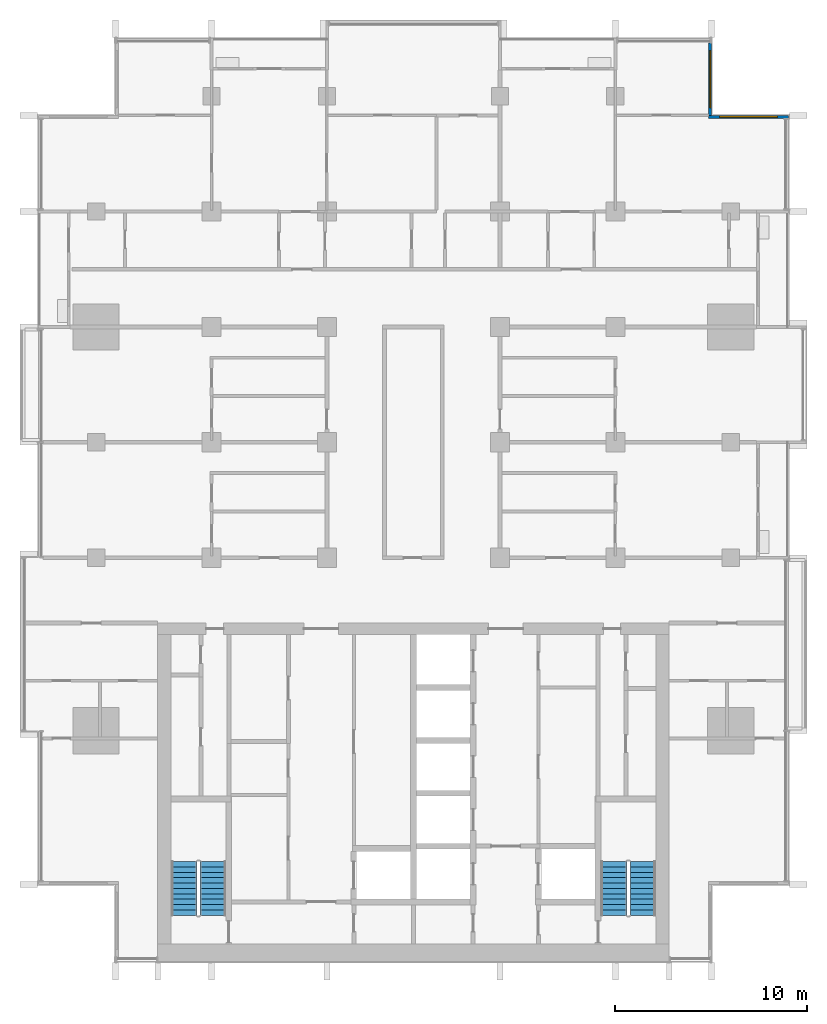
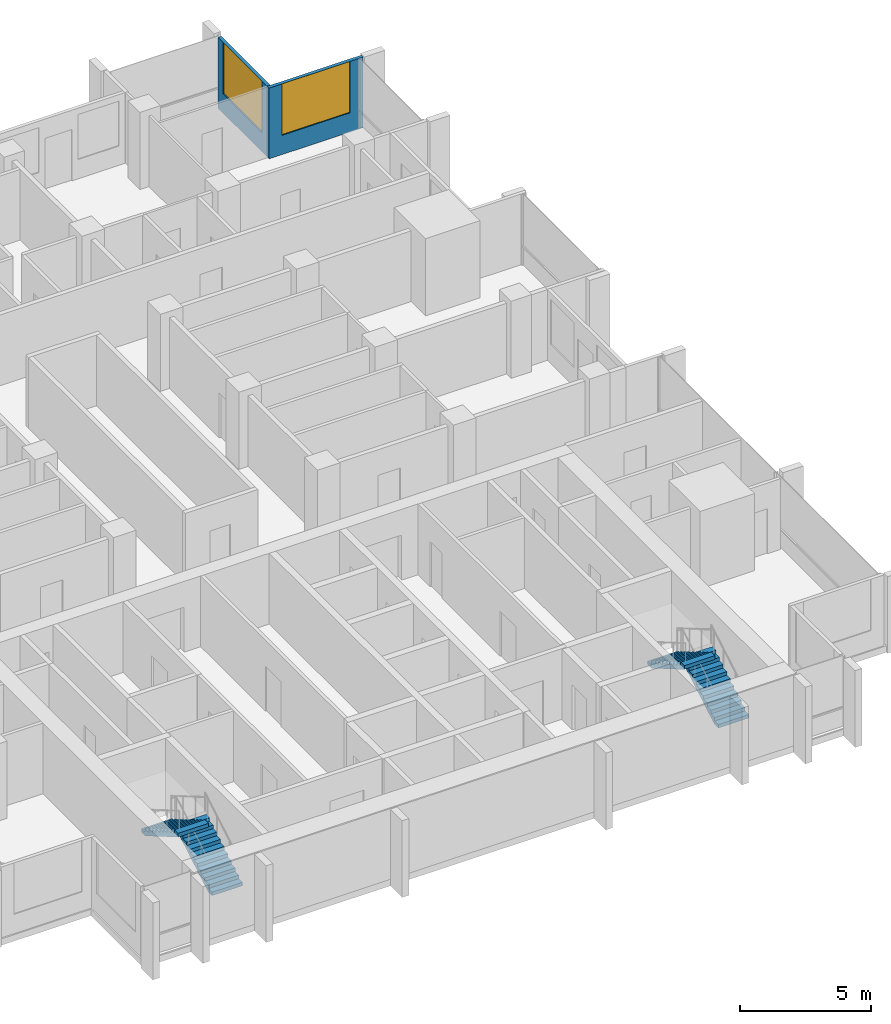
# One storey, part 12 of 17: 4 stair flights, 2 walls, 2 windows, 2 openings, 2 elements without a shape of their own.
"""IFC4 building model written with IfcOpenShell, lengths in metres."""

from ifc_helpers import new_model, si_unit, direction, frame, frame_2d, origin, place, context, subcontext, project, spatial, polyline, rectangle, outline, extrude, material, layer, layer_set, type_object, element, fill, aggregate, save


model = new_model("IFC4")

# Units and contexts
model_context = context("Model", 3, precision=1e-05, world=origin(), true_north=direction((0.0, 1.0)))
body_context = subcontext(model_context, "Body", "Model", "MODEL_VIEW")
ifc_project = project(units=[si_unit("LENGTHUNIT", "METRE"), si_unit("AREAUNIT", "SQUARE_METRE"), si_unit("VOLUMEUNIT", "CUBIC_METRE"), si_unit("PLANEANGLEUNIT", "RADIAN"), si_unit("MASSUNIT", "GRAM", prefix="KILO")], contexts=[model_context])

# Site, building, storey
site_placement = place(None, origin())
site = spatial("IfcSite", under=ifc_project, at=site_placement, CompositionType="ELEMENT")
building_placement = place(site_placement, origin())
building = spatial("IfcBuilding", under=site, at=building_placement, Name="Finial Court Residences", CompositionType="ELEMENT")
storey_placement = place(building_placement, frame((0.0, 0.0, 181.699951171875)))
storey = spatial("IfcBuildingStorey", under=building, at=storey_placement, Name="L45", CompositionType="ELEMENT", Elevation=181.699951171875)

# Wall, opening, window
ifc_material_1 = material(Name="Natural limestone", Category="masonry")
ifc_layer = layer(ifc_material_1, 0.14990234375)
ifc_layer_set = layer_set([ifc_layer], Name="Limestone clad wall 150")
wall_type = type_object("IfcWallType", Name="Limestone clad wall 150", PredefinedType="SOLIDWALL", material=ifc_layer_set)
wall_1_placement = place(storey_placement, frame((15.425048828125, 22.262451171875, 0.0), z_axis=(0.0, 0.0, 1.0), x_axis=(0.0, -1.0, 0.0)))
wall_1 = element("IfcWall", 1, at=wall_1_placement, inside=storey, type_object=wall_type, Name="E-L45-NWE19", PredefinedType="SOLIDWALL", context=body_context, shape_type="SweptSolid", body=[
    extrude(rectangle(XDim=3.762451171875, YDim=0.14990234375, at=frame_2d((1.88134765625, 0.0))), origin(), (0.0, 0.0, 1.0), 3.300048828125),
])
opening_1_placement = place(wall_1_placement, frame((0.401123046875, 0.0, 0.89990234375)))
opening_1 = element("IfcOpeningElement", 2, at=opening_1_placement, cuts=wall_1, Name="Opening WE45-07", PredefinedType="OPENING", context=body_context, shape_type="SweptSolid", body=[
    extrude(rectangle(XDim=2.9599609375, YDim=2.39990234375, at=frame_2d((1.47998046875, 1.199951171875))), frame((0.0, 0.0849609375, 0.0), z_axis=(0.0, -1.0, 0.0), x_axis=(1.0, 0.0, 0.0)), (0.0, 0.0, 1.0), 0.169921875),
])
ifc_material_2 = material(Name="Clear low-e glass", Category="glass")
window_type_1 = type_object("IfcWindowType", Name="Corner window 2960 x 2400", PartitioningType="SINGLE_PANEL", PredefinedType="WINDOW", material=ifc_material_2)
window_1_placement = place(opening_1_placement, origin())
window_1 = element("IfcWindow", 3, at=window_1_placement, inside=storey, type_object=window_type_1, Name="E-L45-NWE19-W1", OverallHeight=2.39990234375, OverallWidth=2.9599609375, PartitioningType="SINGLE_PANEL", PredefinedType="WINDOW", context=body_context, shape_type="SweptSolid", body=[
    extrude(rectangle(XDim=2.9599609375, YDim=2.39990234375, at=frame_2d((1.47998046875, 1.199951171875))), frame((0.0, 0.030029296875, 0.0), z_axis=(0.0, -1.0, 0.0), x_axis=(1.0, 0.0, 0.0)), (0.0, 0.0, 1.0), 0.06005859375),
])
fill(opening_1, window_1)

wall_2_placement = place(storey_placement, frame((15.35009765625, 18.425048828125, 0.0), z_axis=(0.0, 0.0, 1.0), x_axis=(1.0, 0.0, 0.0)))
wall_2 = element("IfcWall", 4, at=wall_2_placement, inside=storey, type_object=wall_type, Name="E-L45-NWN20", PredefinedType="SOLIDWALL", context=body_context, shape_type="SweptSolid", body=[
    extrude(rectangle(XDim=4.14990234375, YDim=0.14990234375, at=frame_2d((2.074951171875, 0.0))), origin(), (0.0, 0.0, 1.0), 3.300048828125),
])
opening_2_placement = place(wall_2_placement, frame((0.574951171875, 0.0, 0.89990234375)))
opening_2 = element("IfcOpeningElement", 5, at=opening_2_placement, cuts=wall_2, Name="Opening WE45-08", PredefinedType="OPENING", context=body_context, shape_type="SweptSolid", body=[
    extrude(rectangle(XDim=3.0, YDim=2.39990234375, at=frame_2d((1.5, 1.199951171875))), frame((0.0, 0.0849609375, 0.0), z_axis=(0.0, -1.0, 0.0), x_axis=(1.0, 0.0, 0.0)), (0.0, 0.0, 1.0), 0.169921875),
])
window_type_2 = type_object("IfcWindowType", Name="Corner window 3000 x 2400", PartitioningType="SINGLE_PANEL", PredefinedType="WINDOW", material=ifc_material_2)
window_2_placement = place(opening_2_placement, origin())
window_2 = element("IfcWindow", 6, at=window_2_placement, inside=storey, type_object=window_type_2, Name="E-L45-NWN20-W1", OverallHeight=2.39990234375, OverallWidth=3.0, PartitioningType="SINGLE_PANEL", PredefinedType="WINDOW", context=body_context, shape_type="SweptSolid", body=[
    extrude(rectangle(XDim=3.0, YDim=2.39990234375, at=frame_2d((1.5, 1.199951171875))), frame((0.0, 0.030029296875, 0.0), z_axis=(0.0, -1.0, 0.0), x_axis=(1.0, 0.0, 0.0)), (0.0, 0.0, 1.0), 0.06005859375),
])
fill(opening_2, window_2)

# Stair, stair flights
ifc_material_3 = material(Name="Concrete C50/60", Category="concrete")
stair_type = type_object("IfcStairType", Name="Exit stair 22 risers of 163.6 mm", PredefinedType="HALF_TURN_STAIR", material=ifc_material_3)
stair_1_placement = place(storey_placement, origin())
stair_1 = element("IfcStair", 7, at=stair_1_placement, inside=storey, type_object=stair_type, Name="L45 Exit stair ST-1", PredefinedType="HALF_TURN_STAIR")
stair_flight_type = type_object("IfcStairFlightType", Name="Exit stair flight", PredefinedType="STRAIGHT", material=ifc_material_3)
stair_flight_1_placement = place(storey_placement, frame((-10.425048828125, -23.10009765625, 0.0), z_axis=(0.0, 0.0, 1.0), x_axis=(0.0, 1.0, 0.0)))
stair_flight_1 = element("IfcStairFlight", 8, at=stair_flight_1_placement, type_object=stair_flight_type, Name="ST-1 flight 1", NumberOfRisers=11, NumberOfTreads=10, PredefinedType="STRAIGHT", RiserHeight=0.163636364, TreadLength=0.28, context=body_context, shape_type="SweptSolid", body=[
    extrude(outline(polyline([(0.0, 0.0), (0.0, 0.16357421875), (0.280029296875, 0.16357421875), (0.280029296875, 0.327392578125), (0.56005859375, 0.327392578125), (0.56005859375, 0.490966796875), (0.840087890625, 0.490966796875), (0.840087890625, 0.654541015625), (1.1201171875, 0.654541015625), (1.1201171875, 0.818115234375), (1.39990234375, 0.818115234375), (1.39990234375, 0.98193359375), (1.679931640625, 0.98193359375), (1.679931640625, 1.1455078125), (1.9599609375, 1.1455078125), (1.9599609375, 1.30908203125), (2.239990234375, 1.30908203125), (2.239990234375, 1.47265625), (2.52001953125, 1.47265625), (2.52001953125, 1.636474609375), (2.800048828125, 1.636474609375), (2.800048828125, 1.800048828125), (2.800048828125, 1.462646484375), (0.297119140625, 0.0), (0.0, 0.0)])), frame((0.0, 0.675048828125, 0.0), z_axis=(0.0, -1.0, 0.0), x_axis=(1.0, 0.0, 0.0)), (0.0, 0.0, 1.0), 1.35009765625),
])
stair_flight_2_placement = place(storey_placement, frame((-11.925048828125, -20.300048828125, 1.800048828125), z_axis=(0.0, 0.0, 1.0), x_axis=(0.0, -1.0, 0.0)))
stair_flight_2 = element("IfcStairFlight", 9, at=stair_flight_2_placement, type_object=stair_flight_type, Name="ST-1 flight 2", NumberOfRisers=11, NumberOfTreads=10, PredefinedType="STRAIGHT", RiserHeight=0.163636364, TreadLength=0.28, context=body_context, shape_type="SweptSolid", body=[
    extrude(outline(polyline([(0.0, 0.0), (0.0, 0.16357421875), (0.280029296875, 0.16357421875), (0.280029296875, 0.327392578125), (0.56005859375, 0.327392578125), (0.56005859375, 0.490966796875), (0.840087890625, 0.490966796875), (0.840087890625, 0.654541015625), (1.1201171875, 0.654541015625), (1.1201171875, 0.818115234375), (1.39990234375, 0.818115234375), (1.39990234375, 0.98193359375), (1.679931640625, 0.98193359375), (1.679931640625, 1.1455078125), (1.9599609375, 1.1455078125), (1.9599609375, 1.30908203125), (2.239990234375, 1.30908203125), (2.239990234375, 1.47265625), (2.52001953125, 1.47265625), (2.52001953125, 1.636474609375), (2.800048828125, 1.636474609375), (2.800048828125, 1.800048828125), (2.800048828125, 1.462646484375), (0.297119140625, 0.0), (0.0, 0.0)])), frame((0.0, 0.675048828125, 0.0), z_axis=(0.0, -1.0, 0.0), x_axis=(1.0, 0.0, 0.0)), (0.0, 0.0, 1.0), 1.35009765625),
])
aggregate(stair_1, [stair_flight_1, stair_flight_2])

stair_2_placement = place(storey_placement, origin())
stair_2 = element("IfcStair", 10, at=stair_2_placement, inside=storey, type_object=stair_type, Name="L45 Exit stair ST-2", PredefinedType="HALF_TURN_STAIR")
stair_flight_3_placement = place(storey_placement, frame((11.925048828125, -23.10009765625, 0.0), z_axis=(0.0, 0.0, 1.0), x_axis=(0.0, 1.0, 0.0)))
stair_flight_3 = element("IfcStairFlight", 11, at=stair_flight_3_placement, type_object=stair_flight_type, Name="ST-2 flight 1", NumberOfRisers=11, NumberOfTreads=10, PredefinedType="STRAIGHT", RiserHeight=0.163636364, TreadLength=0.28, context=body_context, shape_type="SweptSolid", body=[
    extrude(outline(polyline([(0.0, 0.0), (0.0, 0.16357421875), (0.280029296875, 0.16357421875), (0.280029296875, 0.327392578125), (0.56005859375, 0.327392578125), (0.56005859375, 0.490966796875), (0.840087890625, 0.490966796875), (0.840087890625, 0.654541015625), (1.1201171875, 0.654541015625), (1.1201171875, 0.818115234375), (1.39990234375, 0.818115234375), (1.39990234375, 0.98193359375), (1.679931640625, 0.98193359375), (1.679931640625, 1.1455078125), (1.9599609375, 1.1455078125), (1.9599609375, 1.30908203125), (2.239990234375, 1.30908203125), (2.239990234375, 1.47265625), (2.52001953125, 1.47265625), (2.52001953125, 1.636474609375), (2.800048828125, 1.636474609375), (2.800048828125, 1.800048828125), (2.800048828125, 1.462646484375), (0.297119140625, 0.0), (0.0, 0.0)])), frame((0.0, 0.675048828125, 0.0), z_axis=(0.0, -1.0, 0.0), x_axis=(1.0, 0.0, 0.0)), (0.0, 0.0, 1.0), 1.35009765625),
])
stair_flight_4_placement = place(storey_placement, frame((10.425048828125, -20.300048828125, 1.800048828125), z_axis=(0.0, 0.0, 1.0), x_axis=(0.0, -1.0, 0.0)))
stair_flight_4 = element("IfcStairFlight", 12, at=stair_flight_4_placement, type_object=stair_flight_type, Name="ST-2 flight 2", NumberOfRisers=11, NumberOfTreads=10, PredefinedType="STRAIGHT", RiserHeight=0.163636364, TreadLength=0.28, context=body_context, shape_type="SweptSolid", body=[
    extrude(outline(polyline([(0.0, 0.0), (0.0, 0.16357421875), (0.280029296875, 0.16357421875), (0.280029296875, 0.327392578125), (0.56005859375, 0.327392578125), (0.56005859375, 0.490966796875), (0.840087890625, 0.490966796875), (0.840087890625, 0.654541015625), (1.1201171875, 0.654541015625), (1.1201171875, 0.818115234375), (1.39990234375, 0.818115234375), (1.39990234375, 0.98193359375), (1.679931640625, 0.98193359375), (1.679931640625, 1.1455078125), (1.9599609375, 1.1455078125), (1.9599609375, 1.30908203125), (2.239990234375, 1.30908203125), (2.239990234375, 1.47265625), (2.52001953125, 1.47265625), (2.52001953125, 1.636474609375), (2.800048828125, 1.636474609375), (2.800048828125, 1.800048828125), (2.800048828125, 1.462646484375), (0.297119140625, 0.0), (0.0, 0.0)])), frame((0.0, 0.675048828125, 0.0), z_axis=(0.0, -1.0, 0.0), x_axis=(1.0, 0.0, 0.0)), (0.0, 0.0, 1.0), 1.35009765625),
])
aggregate(stair_2, [stair_flight_3, stair_flight_4])

save(model, "model.ifc")
